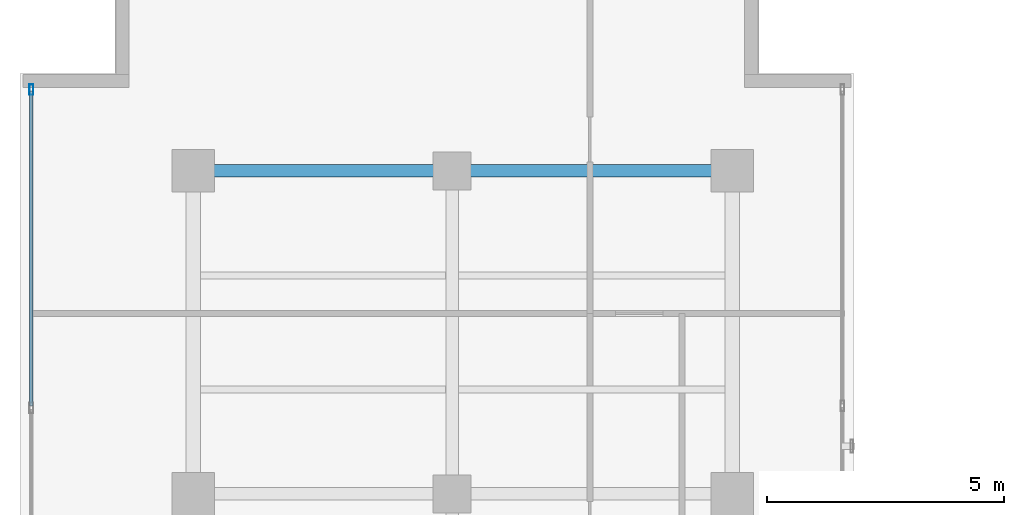
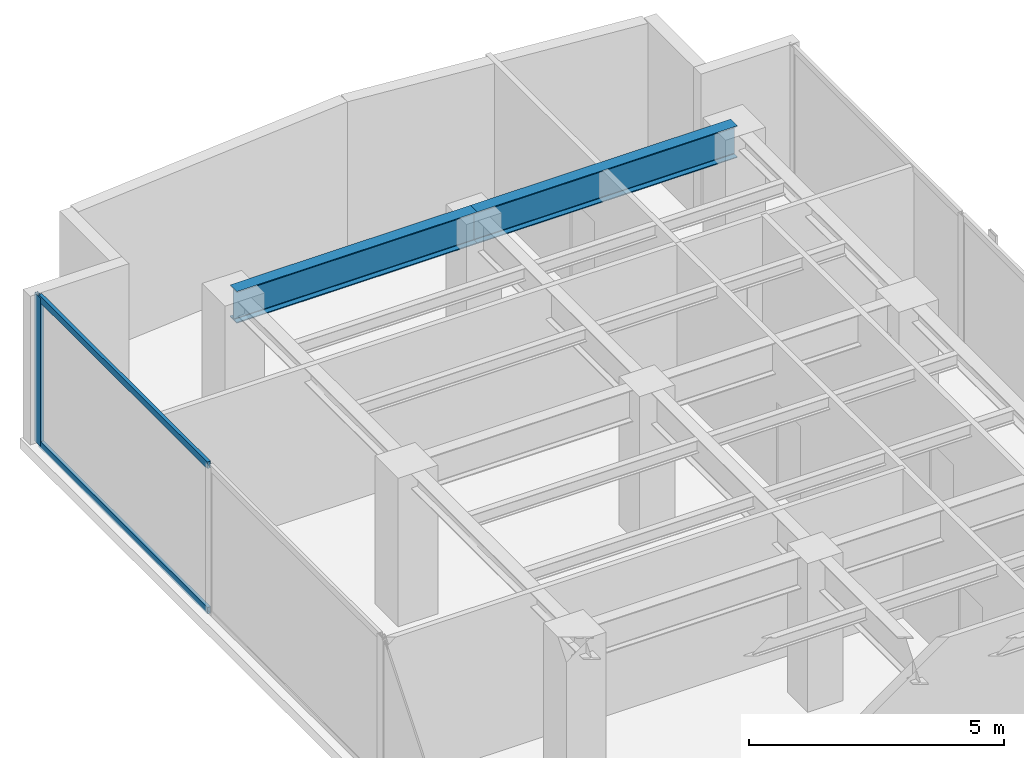
# One storey, part 14 of 22: 3 members, 2 beams, 1 element without a shape of its own.
"""IFC4 building model written with IfcOpenShell, lengths in metres."""

from ifc_helpers import new_model, si_unit, direction, frame, origin, origin_with_axes, origin_2d, place, context, subcontext, project, spatial, hollow_rectangle, i_section, extrude, source, transform, mapped, material, layer, layer_set, material_profile, profile_set, type_object, element, aggregate, save


model = new_model("IFC4")

# Units and contexts
model_context = context("Model", 3, precision=1e-05, world=origin(), true_north=direction((0.0, 1.0)))
body_context = subcontext(model_context, "Body", "Model", "MODEL_VIEW")
ifc_project = project(units=[si_unit("LENGTHUNIT", "METRE"), si_unit("AREAUNIT", "SQUARE_METRE"), si_unit("VOLUMEUNIT", "CUBIC_METRE"), si_unit("PLANEANGLEUNIT", "RADIAN"), si_unit("MASSUNIT", "GRAM", prefix="KILO")], contexts=[model_context])

# Site, building, storey
site_placement = place(None, origin())
site = spatial("IfcSite", under=ifc_project, at=site_placement, CompositionType="ELEMENT")
building_placement = place(site_placement, origin())
building = spatial("IfcBuilding", under=site, at=building_placement, Name="Kolvaren Waterfront Exchange", CompositionType="ELEMENT")
storey_placement = place(building_placement, frame((0.0, 0.0, 278.0)))
storey = spatial("IfcBuildingStorey", under=building, at=storey_placement, Name="L71", CompositionType="ELEMENT", Elevation=278.0)

# Beams
ifc_material_1 = material(Name="Steel S355", Category="steel")
ifc_material_profile_1 = material_profile(ifc_material_1, i_section(OverallWidth=0.26708984375, OverallDepth=0.761962890625, WebThickness=0.014404296875, FlangeThickness=0.021484375, FilletRadius=0.01708984375, at=origin_2d()), Name="IPE750x173")
ifc_profile_set_1 = profile_set([ifc_material_profile_1], Name="Steel S355")
beam_type = type_object("IfcBeamType", Name="STR-BM-IPE750", PredefinedType="BEAM", material=ifc_profile_set_1)
beam_1_placement = place(storey_placement, frame((7.449951171875, 44.60009765625, 3.178955078125), z_axis=(1.0, 0.0, 0.0), x_axis=(0.0, 1.0, 0.0)))
element("IfcBeam", 1, at=beam_1_placement, inside=storey, type_object=beam_type, Name="L71 north-arm girder 4A", PredefinedType="BEAM", context=body_context, shape_type="SweptSolid", body=[
    extrude(i_section(OverallWidth=0.26708984375, OverallDepth=0.761962890625, WebThickness=0.014404296875, FlangeThickness=0.021484375, FilletRadius=0.01708984375, at=origin_2d()), origin(), (0.0, 0.0, 1.0), 5.449951171875),
])
beam_2_placement = place(storey_placement, frame((12.89990234375, 44.60009765625, 3.178955078125), z_axis=(1.0, 0.0, 0.0), x_axis=(0.0, 1.0, 0.0)))
element("IfcBeam", 2, at=beam_2_placement, inside=storey, type_object=beam_type, Name="L71 north-arm girder 4B", PredefinedType="BEAM", context=body_context, shape_type="SweptSolid", body=[
    extrude(i_section(OverallWidth=0.26708984375, OverallDepth=0.761962890625, WebThickness=0.014404296875, FlangeThickness=0.021484375, FilletRadius=0.01708984375, at=origin_2d()), origin(), (0.0, 0.0, 1.0), 5.900146484375),
])

# Curtain wall, members
ifc_material_2 = material(Name="Anodised aluminium 6063-T6", Category="aluminium")
ifc_layer = layer(ifc_material_2, 0.219970703125, Name="Anodised aluminium 6063-T6")
ifc_layer_set = layer_set([ifc_layer], Name="Anodised aluminium 6063-T6")
curtain_wall_type = type_object("IfcCurtainWallType", Name="ARC-CW-SYS2", PredefinedType="USERDEFINED", material=ifc_layer_set)
curtain_wall_placement = place(storey_placement, origin())
curtain_wall = element("IfcCurtainWall", 3, at=curtain_wall_placement, inside=storey, type_object=curtain_wall_type, Name="L71 stick curtain wall CW2 (CW-L71-W)", ObjectType="STICK CURTAIN WALL", PredefinedType="USERDEFINED")
ifc_material_profile_2 = material_profile(ifc_material_2, hollow_rectangle(XDim=0.080078125, YDim=0.219970703125, WallThickness=0.0048828125, at=origin_2d()), Name="ALU-MUL-220x80x5")
ifc_profile_set_2 = profile_set([ifc_material_profile_2], Name="Anodised aluminium 6063-T6")
member_type_1 = type_object("IfcMemberType", Name="ARC-CWM-220", PredefinedType="MULLION", material=ifc_profile_set_2)
shared_shape_1 = source(origin_with_axes(), body_context, "Body", "SweptSolid", [
    extrude(hollow_rectangle(XDim=0.080078125, YDim=0.219970703125, WallThickness=0.0048828125, at=origin_2d()), origin(), (0.0, 0.0, 1.0), 3.56005859375),
])
member_1_placement = place(storey_placement, frame((4.0400390625, 46.3125, 0.0), z_axis=(0.0, 0.0, 1.0), x_axis=(-1.0, 0.0, 0.0)))
member_1 = element("IfcMember", 4, at=member_1_placement, type_object=member_type_1, Name="CW2 mullion 7", PredefinedType="MULLION", context=body_context, shape_type="MappedRepresentation", body=[
    mapped(shared_shape_1, transform((0.0, 0.0, 0.0), x_axis=(1.0, 0.0, 0.0), y_axis=(0.0, 1.0, 0.0), z_axis=(0.0, 0.0, 1.0), scale=1.0)),
])
ifc_material_profile_3 = material_profile(ifc_material_2, hollow_rectangle(XDim=0.074951171875, YDim=0.159912109375, WallThickness=0.00439453125, at=origin_2d()), Name="ALU-TRN-160x75x4.5")
ifc_profile_set_3 = profile_set([ifc_material_profile_3], Name="Anodised aluminium 6063-T6")
member_type_2 = type_object("IfcMemberType", Name="ARC-CWT-160", PredefinedType="USERDEFINED", material=ifc_profile_set_3)
shared_shape_2 = source(origin_with_axes(), body_context, "Body", "SweptSolid", [
    extrude(hollow_rectangle(XDim=0.074951171875, YDim=0.159912109375, WallThickness=0.00439453125, at=origin_2d()), origin(), (0.0, 0.0, 1.0), 6.622314453125),
])
member_2_placement = place(storey_placement, frame((4.0400390625, 39.650390625, 0.03759765625), z_axis=(0.0, 1.0, 0.0), x_axis=(-1.0, 0.0, 0.0)))
member_2 = element("IfcMember", 5, at=member_2_placement, type_object=member_type_2, Name="CW2 transom 6.1", ObjectType="TRANSOM", PredefinedType="USERDEFINED", context=body_context, shape_type="MappedRepresentation", body=[
    mapped(shared_shape_2, transform((0.0, 0.0, 0.0), x_axis=(1.0, 0.0, 0.0), y_axis=(0.0, 1.0, 0.0), z_axis=(0.0, 0.0, 1.0), scale=1.0)),
])
member_3_placement = place(storey_placement, frame((4.0400390625, 39.650390625, 3.5224609375), z_axis=(0.0, 1.0, 0.0), x_axis=(-1.0, 0.0, 0.0)))
member_3 = element("IfcMember", 6, at=member_3_placement, type_object=member_type_2, Name="CW2 transom 6.2", ObjectType="TRANSOM", PredefinedType="USERDEFINED", context=body_context, shape_type="MappedRepresentation", body=[
    mapped(shared_shape_2, transform((0.0, 0.0, 0.0), x_axis=(1.0, 0.0, 0.0), y_axis=(0.0, 1.0, 0.0), z_axis=(0.0, 0.0, 1.0), scale=1.0)),
])
aggregate(curtain_wall, [member_1, member_2, member_3])

save(model, "model.ifc")
